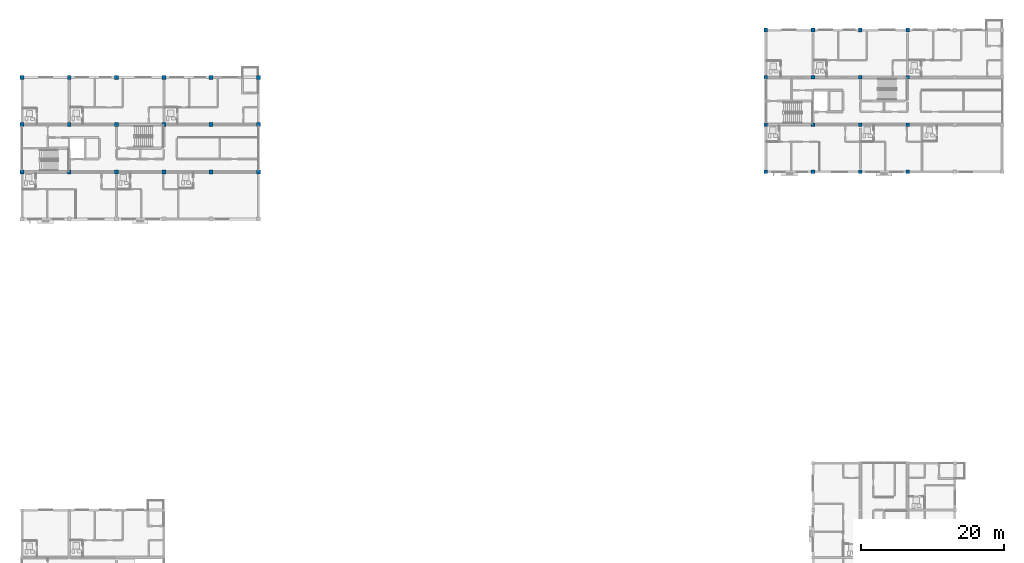
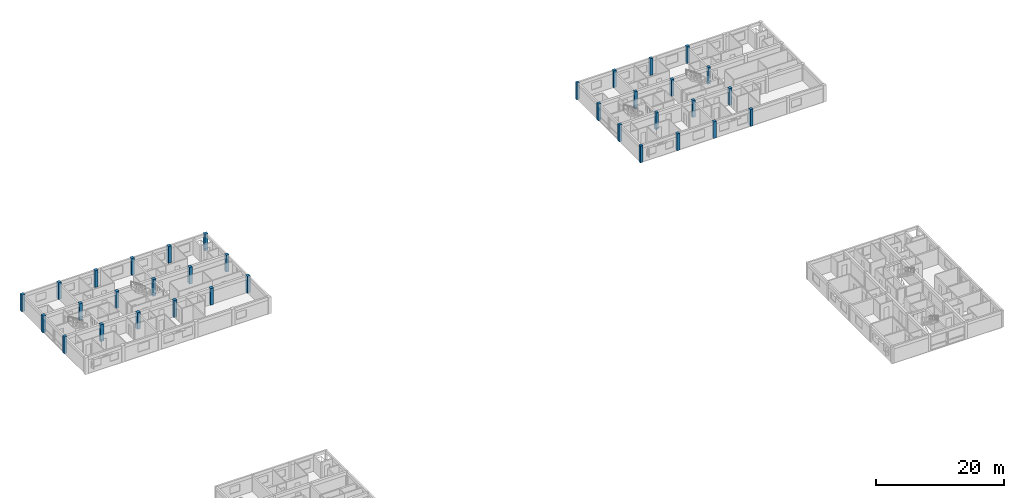
# One storey, part 3 of 49: 34 columns.
"""IFC4 building model written with IfcOpenShell, lengths in metres."""

from ifc_helpers import new_model, si_unit, direction, frame, origin, origin_2d, place, context, subcontext, project, spatial, rectangle, extrude, material, material_profile, profile_set, type_object, element, save


model = new_model("IFC4")

# Units and contexts
model_context = context("Model", 3, precision=1e-05, world=origin(), true_north=direction((0.0, 1.0)))
body_context = subcontext(model_context, "Body", "Model", "MODEL_VIEW")
ifc_project = project(units=[si_unit("LENGTHUNIT", "METRE"), si_unit("AREAUNIT", "SQUARE_METRE"), si_unit("VOLUMEUNIT", "CUBIC_METRE"), si_unit("PLANEANGLEUNIT", "RADIAN"), si_unit("MASSUNIT", "GRAM", prefix="KILO")], contexts=[model_context])

# Site, building, storey
site_placement = place(None, origin())
site = spatial("IfcSite", under=ifc_project, at=site_placement, CompositionType="ELEMENT")
building_placement = place(site_placement, origin())
building = spatial("IfcBuilding", under=site, at=building_placement, Name="Kernevlak Ridge Housing Community", CompositionType="ELEMENT")
storey_placement = place(building_placement, frame((0.0, 0.0, 30.800048828125)))
storey = spatial("IfcBuildingStorey", under=building, at=storey_placement, Name="L09", CompositionType="ELEMENT", Elevation=30.800048828125)

# Columns
ifc_material = material(Name="Concrete C40/50", Category="concrete")
ifc_material_profile_1 = material_profile(ifc_material, rectangle(XDim=0.550048828125, YDim=0.550048828125, at=origin_2d()), Name="RC 550x550")
ifc_profile_set_1 = profile_set([ifc_material_profile_1], Name="Concrete C40/50")
column_type_1 = type_object("IfcColumnType", Name="C-02", PredefinedType="COLUMN", material=ifc_profile_set_1)
for number, where, z_axis, x_axis, name in (
    (1, (15.60009765625, 82.60009765625, 0.0), (0.0, 0.0, 1.0), (1.0, 0.0, 0.0), "Column C-02 COL-A-L09-00-1"),
    (2, (15.60009765625, 89.199951171875, 0.0), (0.0, 0.0, 1.0), (1.0, 0.0, 0.0), "Column C-02 COL-A-L09-00-2"),
    (3, (15.60009765625, 95.800048828125, 0.0), (0.0, 0.0, 1.0), (1.0, 0.0, 0.0), "Column C-02 COL-A-L09-00-3"),
    (4, (22.199951171875, 82.60009765625, 0.0), (0.0, 0.0, 1.0), (1.0, 0.0, 0.0), "Column C-02 COL-A-L09-01-1"),
    (5, (22.199951171875, 89.199951171875, 0.0), (0.0, 0.0, 1.0), (1.0, 0.0, 0.0), "Column C-02 COL-A-L09-01-2"),
    (6, (22.199951171875, 95.800048828125, 0.0), (0.0, 0.0, 1.0), (1.0, 0.0, 0.0), "Column C-02 COL-A-L09-01-3"),
    (7, (28.800048828125, 82.60009765625, 0.0), (0.0, 0.0, 1.0), (1.0, 0.0, 0.0), "Column C-02 COL-A-L09-02-1"),
    (8, (28.800048828125, 89.199951171875, 0.0), (0.0, 0.0, 1.0), (1.0, 0.0, 0.0), "Column C-02 COL-A-L09-02-2"),
    (9, (28.800048828125, 95.800048828125, 0.0), (0.0, 0.0, 1.0), (1.0, 0.0, 0.0), "Column C-02 COL-A-L09-02-3"),
    (10, (35.39990234375, 82.60009765625, 0.0), (0.0, 0.0, 1.0), (1.0, 0.0, 0.0), "Column C-02 COL-A-L09-03-1"),
    (11, (35.39990234375, 89.199951171875, 0.0), (0.0, 0.0, 1.0), (1.0, 0.0, 0.0), "Column C-02 COL-A-L09-03-2"),
    (12, (35.39990234375, 95.800048828125, 0.0), (0.0, 0.0, 1.0), (1.0, 0.0, 0.0), "Column C-02 COL-A-L09-03-3"),
    (13, (42.0, 82.60009765625, 0.0), (0.0, 0.0, 1.0), (1.0, 0.0, 0.0), "Column C-02 COL-A-L09-04-1"),
    (14, (42.0, 89.199951171875, 0.0), (0.0, 0.0, 1.0), (1.0, 0.0, 0.0), "Column C-02 COL-A-L09-04-2"),
    (15, (42.0, 95.800048828125, 0.0), (0.0, 0.0, 1.0), (1.0, 0.0, 0.0), "Column C-02 COL-A-L09-04-3"),
    (16, (48.60009765625, 82.60009765625, 0.0), (0.0, 0.0, 1.0), (1.0, 0.0, 0.0), "Column C-02 COL-A-L09-05-1"),
    (17, (48.60009765625, 89.199951171875, 0.0), (0.0, 0.0, 1.0), (1.0, 0.0, 0.0), "Column C-02 COL-A-L09-05-2"),
    (18, (48.60009765625, 95.800048828125, 0.0), (0.0, 0.0, 1.0), (1.0, 0.0, 0.0), "Column C-02 COL-A-L09-05-3"),
):
    element("IfcColumn", number, at=place(storey_placement, frame(where, z_axis=z_axis, x_axis=x_axis)), inside=storey, type_object=column_type_1, Name=name, PredefinedType="COLUMN", context=body_context, shape_type="SweptSolid", body=[
        extrude(rectangle(XDim=0.550048828125, YDim=0.550048828125, at=origin_2d()), origin(), (0.0, 0.0, 1.0), 3.199951171875),
    ])
ifc_material_profile_2 = material_profile(ifc_material, rectangle(XDim=0.5, YDim=0.5, at=origin_2d()), Name="RC 500x500")
ifc_profile_set_2 = profile_set([ifc_material_profile_2], Name="Concrete C40/50")
column_type_2 = type_object("IfcColumnType", Name="C-03", PredefinedType="COLUMN", material=ifc_profile_set_2)
for number, where, z_axis, x_axis, name in (
    (19, (119.39990234375, 82.60009765625, 0.0), (0.0, 0.0, 1.0), (1.0, 0.0, 0.0), "Column C-03 COL-B-L09-00-0"),
    (20, (119.39990234375, 89.199951171875, 0.0), (0.0, 0.0, 1.0), (1.0, 0.0, 0.0), "Column C-03 COL-B-L09-00-1"),
    (21, (119.39990234375, 95.800048828125, 0.0), (0.0, 0.0, 1.0), (1.0, 0.0, 0.0), "Column C-03 COL-B-L09-00-2"),
    (22, (119.39990234375, 102.39990234375, 0.0), (0.0, 0.0, 1.0), (1.0, 0.0, 0.0), "Column C-03 COL-B-L09-00-3"),
    (23, (126.0, 82.60009765625, 0.0), (0.0, 0.0, 1.0), (1.0, 0.0, 0.0), "Column C-03 COL-B-L09-01-0"),
    (24, (126.0, 89.199951171875, 0.0), (0.0, 0.0, 1.0), (1.0, 0.0, 0.0), "Column C-03 COL-B-L09-01-1"),
    (25, (126.0, 95.800048828125, 0.0), (0.0, 0.0, 1.0), (1.0, 0.0, 0.0), "Column C-03 COL-B-L09-01-2"),
    (26, (126.0, 102.39990234375, 0.0), (0.0, 0.0, 1.0), (1.0, 0.0, 0.0), "Column C-03 COL-B-L09-01-3"),
    (27, (132.60009765625, 82.60009765625, 0.0), (0.0, 0.0, 1.0), (1.0, 0.0, 0.0), "Column C-03 COL-B-L09-02-0"),
    (28, (132.60009765625, 89.199951171875, 0.0), (0.0, 0.0, 1.0), (1.0, 0.0, 0.0), "Column C-03 COL-B-L09-02-1"),
    (29, (132.60009765625, 95.800048828125, 0.0), (0.0, 0.0, 1.0), (1.0, 0.0, 0.0), "Column C-03 COL-B-L09-02-2"),
    (30, (132.60009765625, 102.39990234375, 0.0), (0.0, 0.0, 1.0), (1.0, 0.0, 0.0), "Column C-03 COL-B-L09-02-3"),
    (31, (139.199951171875, 82.60009765625, 0.0), (0.0, 0.0, 1.0), (1.0, 0.0, 0.0), "Column C-03 COL-B-L09-03-0"),
    (32, (139.199951171875, 89.199951171875, 0.0), (0.0, 0.0, 1.0), (1.0, 0.0, 0.0), "Column C-03 COL-B-L09-03-1"),
    (33, (139.199951171875, 95.800048828125, 0.0), (0.0, 0.0, 1.0), (1.0, 0.0, 0.0), "Column C-03 COL-B-L09-03-2"),
    (34, (139.199951171875, 102.39990234375, 0.0), (0.0, 0.0, 1.0), (1.0, 0.0, 0.0), "Column C-03 COL-B-L09-03-3"),
):
    element("IfcColumn", number, at=place(storey_placement, frame(where, z_axis=z_axis, x_axis=x_axis)), inside=storey, type_object=column_type_2, Name=name, PredefinedType="COLUMN", context=body_context, shape_type="SweptSolid", body=[
        extrude(rectangle(XDim=0.5, YDim=0.5, at=origin_2d()), origin(), (0.0, 0.0, 1.0), 3.199951171875),
    ])

save(model, "model.ifc")
